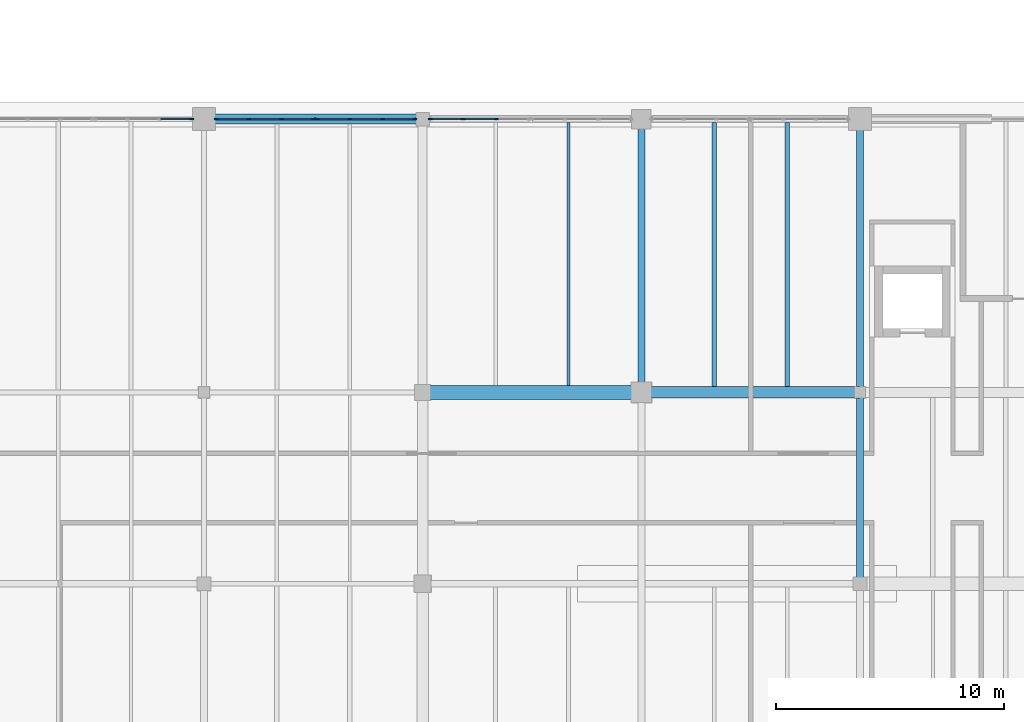
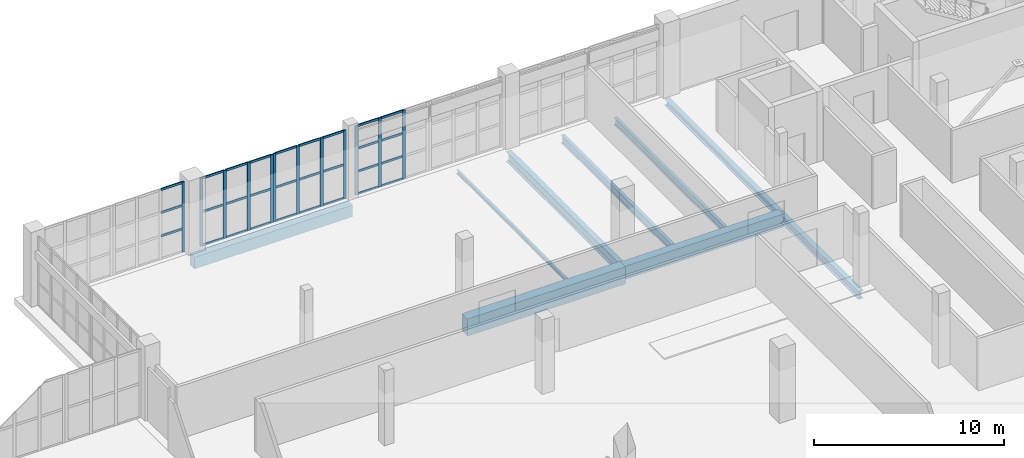
# One storey, part 24 of 121: 41 members, 9 beams, 4 elements without a shape of their own.
"""IFC4 building model written with IfcOpenShell, lengths in metres."""

from ifc_helpers import new_model, si_unit, direction, frame, origin, origin_2d, place, context, subcontext, project, spatial, rectangle, i_section, extrude, material, layer, layer_set, material_profile, profile_set, type_object, element, aggregate, save


model = new_model("IFC4")

# Units and contexts
model_context = context("Model", 3, precision=1e-05, world=origin(), true_north=direction((0.0, 1.0)))
body_context = subcontext(model_context, "Body", "Model", "MODEL_VIEW")
ifc_project = project(units=[si_unit("LENGTHUNIT", "METRE"), si_unit("AREAUNIT", "SQUARE_METRE"), si_unit("VOLUMEUNIT", "CUBIC_METRE"), si_unit("PLANEANGLEUNIT", "RADIAN"), si_unit("MASSUNIT", "GRAM", prefix="KILO")], contexts=[model_context])

# Site, building, storey
site_placement = place(None, origin())
site = spatial("IfcSite", under=ifc_project, at=site_placement, CompositionType="ELEMENT")
building_placement = place(site_placement, origin())
building = spatial("IfcBuilding", under=site, at=building_placement, Name="Zereglee Splitstone Museum", CompositionType="ELEMENT")
storey_placement = place(building_placement, origin())
storey = spatial("IfcBuildingStorey", under=building, at=storey_placement, Name="L00", CompositionType="ELEMENT", Elevation=0.0)

# Beams
ifc_material_1 = material(Name="Concrete C40/50", Category="concrete")
ifc_material_profile_1 = material_profile(ifc_material_1, rectangle(XDim=0.5, YDim=0.85009765625, at=origin_2d()), Name="RC 500x850")
ifc_profile_set_1 = profile_set([ifc_material_profile_1], Name="Concrete C40/50")
beam_type_1 = type_object("IfcBeamType", Name="BG-02", PredefinedType="BEAM", material=ifc_profile_set_1)
beam_1_placement = place(storey_placement, frame((106.800048828125, 38.39990234375, -0.844970703125), z_axis=(1.0, 0.0, 0.0), x_axis=(0.0, 1.0, 0.0)))
element("IfcBeam", 1, at=beam_1_placement, inside=storey, type_object=beam_type_1, Name="Primary Girder L00 E (106.8-116.4)", PredefinedType="BEAM", context=body_context, shape_type="SweptSolid", body=[
    extrude(rectangle(XDim=0.5, YDim=0.85009765625, at=origin_2d()), origin(), (0.0, 0.0, 1.0), 9.599853515625),
])
ifc_material_profile_2 = material_profile(ifc_material_1, rectangle(XDim=0.60009765625, YDim=1.10009765625, at=origin_2d()), Name="RC 600x1100")
ifc_profile_set_2 = profile_set([ifc_material_profile_2], Name="Concrete C40/50")
beam_type_2 = type_object("IfcBeamType", Name="BG-01", PredefinedType="BEAM", material=ifc_profile_set_2)
beam_2_placement = place(storey_placement, frame((97.199951171875, 38.39990234375, -0.969970703125), z_axis=(1.0, 0.0, 0.0), x_axis=(0.0, 1.0, 0.0)))
element("IfcBeam", 2, at=beam_2_placement, inside=storey, type_object=beam_type_2, Name="Primary Girder L00 E (97.2-106.8)", PredefinedType="BEAM", context=body_context, shape_type="SweptSolid", body=[
    extrude(rectangle(XDim=0.60009765625, YDim=1.10009765625, at=origin_2d()), origin(), (0.0, 0.0, 1.0), 9.60009765625),
])

# Curtain wall, members
ifc_material_2 = material(Name="Triple-glazed low-E argon glass and bronze-anodised aluminium", Category="aluminium")
ifc_layer_1 = layer(ifc_material_2, 0.179931640625)
ifc_layer_set_1 = layer_set([ifc_layer_1], Name="Triple-glazed low-E argon glass and bronze-anodised aluminium")
curtain_wall_type_1 = type_object("IfcCurtainWallType", Name="CW-0439-442", PredefinedType="USERDEFINED", material=ifc_layer_set_1)
curtain_wall_1_placement = place(storey_placement, origin())
curtain_wall_1 = element("IfcCurtainWall", 3, at=curtain_wall_1_placement, inside=storey, type_object=curtain_wall_type_1, Name="Glazed Curtain Wall CW-0439-442 (L00)", ObjectType="GLAZED CURTAIN WALL", PredefinedType="USERDEFINED")
ifc_material_3 = material(Name="Thermally broken bronze-anodised aluminium", Category="aluminium")
ifc_material_profile_3 = material_profile(ifc_material_3, rectangle(XDim=0.06494140625, YDim=0.179931640625, at=origin_2d()), Name="CW MULL 65x180")
ifc_profile_set_3 = profile_set([ifc_material_profile_3], Name="Thermally broken bronze-anodised aluminium")
member_type_1 = type_object("IfcMemberType", Name="CWM-01", PredefinedType="MULLION", material=ifc_profile_set_3)
member_1_placement = place(storey_placement, frame((100.434326171875, 50.39990234375, 0.0), z_axis=(0.0, 0.0, 1.0), x_axis=(0.0, -1.0, 0.0)))
member_1 = element("IfcMember", 4, at=member_1_placement, type_object=member_type_1, Name="CW-0439-442 mullion 2", PredefinedType="MULLION", context=body_context, shape_type="SweptSolid", body=[
    extrude(rectangle(XDim=0.06494140625, YDim=0.179931640625, at=origin_2d()), origin(), (0.0, 0.0, 1.0), 4.419921875),
])
member_2_placement = place(storey_placement, frame((98.97119140625, 50.39990234375, 0.0), z_axis=(0.0, 0.0, 1.0), x_axis=(0.0, -1.0, 0.0)))
member_2 = element("IfcMember", 5, at=member_2_placement, type_object=member_type_1, Name="CW-0439-442 mullion 3", PredefinedType="MULLION", context=body_context, shape_type="SweptSolid", body=[
    extrude(rectangle(XDim=0.06494140625, YDim=0.179931640625, at=origin_2d()), origin(), (0.0, 0.0, 1.0), 4.419921875),
])
member_3_placement = place(storey_placement, frame((97.54052734375, 50.39990234375, 0.0), z_axis=(0.0, 0.0, 1.0), x_axis=(0.0, -1.0, 0.0)))
member_3 = element("IfcMember", 6, at=member_3_placement, type_object=member_type_1, Name="CW-0439-442 mullion 4", PredefinedType="MULLION", context=body_context, shape_type="SweptSolid", body=[
    extrude(rectangle(XDim=0.06494140625, YDim=0.179931640625, at=origin_2d()), origin(), (0.0, 0.0, 1.0), 4.419921875),
])

ifc_layer_2 = layer(ifc_material_2, 0.179931640625)
ifc_layer_set_2 = layer_set([ifc_layer_2], Name="Triple-glazed low-E argon glass and bronze-anodised aluminium")
curtain_wall_type_2 = type_object("IfcCurtainWallType", Name="CW-0435-438", PredefinedType="USERDEFINED", material=ifc_layer_set_2)
curtain_wall_2_placement = place(storey_placement, origin())
curtain_wall_2 = element("IfcCurtainWall", 7, at=curtain_wall_2_placement, inside=storey, type_object=curtain_wall_type_2, Name="Glazed Curtain Wall CW-0435-438 (L00)", ObjectType="GLAZED CURTAIN WALL", PredefinedType="USERDEFINED")
member_4_placement = place(storey_placement, frame((96.859619140625, 50.39990234375, 0.0), z_axis=(0.0, 0.0, 1.0), x_axis=(0.0, -1.0, 0.0)))
member_4 = element("IfcMember", 8, at=member_4_placement, type_object=member_type_1, Name="CW-0435-438 mullion 1", PredefinedType="MULLION", context=body_context, shape_type="SweptSolid", body=[
    extrude(rectangle(XDim=0.06494140625, YDim=0.179931640625, at=origin_2d()), origin(), (0.0, 0.0, 1.0), 4.3798828125),
])
member_5_placement = place(storey_placement, frame((95.44140625, 50.39990234375, 0.0), z_axis=(0.0, 0.0, 1.0), x_axis=(0.0, -1.0, 0.0)))
member_5 = element("IfcMember", 9, at=member_5_placement, type_object=member_type_1, Name="CW-0435-438 mullion 2", PredefinedType="MULLION", context=body_context, shape_type="SweptSolid", body=[
    extrude(rectangle(XDim=0.06494140625, YDim=0.179931640625, at=origin_2d()), origin(), (0.0, 0.0, 1.0), 4.3798828125),
])
member_6_placement = place(storey_placement, frame((93.99072265625, 50.39990234375, 0.0), z_axis=(0.0, 0.0, 1.0), x_axis=(0.0, -1.0, 0.0)))
member_6 = element("IfcMember", 10, at=member_6_placement, type_object=member_type_1, Name="CW-0435-438 mullion 3", PredefinedType="MULLION", context=body_context, shape_type="SweptSolid", body=[
    extrude(rectangle(XDim=0.06494140625, YDim=0.179931640625, at=origin_2d()), origin(), (0.0, 0.0, 1.0), 4.3798828125),
])
member_7_placement = place(storey_placement, frame((92.572509765625, 50.39990234375, 0.0), z_axis=(0.0, 0.0, 1.0), x_axis=(0.0, -1.0, 0.0)))
member_7 = element("IfcMember", 11, at=member_7_placement, type_object=member_type_1, Name="CW-0435-438 mullion 4", PredefinedType="MULLION", context=body_context, shape_type="SweptSolid", body=[
    extrude(rectangle(XDim=0.06494140625, YDim=0.179931640625, at=origin_2d()), origin(), (0.0, 0.0, 1.0), 4.3798828125),
])

ifc_layer_3 = layer(ifc_material_2, 0.179931640625)
ifc_layer_set_3 = layer_set([ifc_layer_3], Name="Triple-glazed low-E argon glass and bronze-anodised aluminium")
curtain_wall_type_3 = type_object("IfcCurtainWallType", Name="CW-0435-436", PredefinedType="USERDEFINED", material=ifc_layer_set_3)
curtain_wall_3_placement = place(storey_placement, origin())
curtain_wall_3 = element("IfcCurtainWall", 12, at=curtain_wall_3_placement, inside=storey, type_object=curtain_wall_type_3, Name="Glazed Curtain Wall CW-0435-436 (L00)", ObjectType="GLAZED CURTAIN WALL", PredefinedType="USERDEFINED")
member_8_placement = place(storey_placement, frame((92.427490234375, 50.39990234375, 0.0), z_axis=(0.0, 0.0, 1.0), x_axis=(0.0, -1.0, 0.0)))
member_8 = element("IfcMember", 13, at=member_8_placement, type_object=member_type_1, Name="CW-0435-436 mullion 1", PredefinedType="MULLION", context=body_context, shape_type="SweptSolid", body=[
    extrude(rectangle(XDim=0.06494140625, YDim=0.179931640625, at=origin_2d()), origin(), (0.0, 0.0, 1.0), 4.360107421875),
])
member_9_placement = place(storey_placement, frame((91.00927734375, 50.39990234375, 0.0), z_axis=(0.0, 0.0, 1.0), x_axis=(0.0, -1.0, 0.0)))
member_9 = element("IfcMember", 14, at=member_9_placement, type_object=member_type_1, Name="CW-0435-436 mullion 2", PredefinedType="MULLION", context=body_context, shape_type="SweptSolid", body=[
    extrude(rectangle(XDim=0.06494140625, YDim=0.179931640625, at=origin_2d()), origin(), (0.0, 0.0, 1.0), 4.360107421875),
])
member_10_placement = place(storey_placement, frame((89.55859375, 50.39990234375, 0.0), z_axis=(0.0, 0.0, 1.0), x_axis=(0.0, -1.0, 0.0)))
member_10 = element("IfcMember", 15, at=member_10_placement, type_object=member_type_1, Name="CW-0435-436 mullion 3", PredefinedType="MULLION", context=body_context, shape_type="SweptSolid", body=[
    extrude(rectangle(XDim=0.06494140625, YDim=0.179931640625, at=origin_2d()), origin(), (0.0, 0.0, 1.0), 4.360107421875),
])
member_11_placement = place(storey_placement, frame((88.140380859375, 50.39990234375, 0.0), z_axis=(0.0, 0.0, 1.0), x_axis=(0.0, -1.0, 0.0)))
member_11 = element("IfcMember", 16, at=member_11_placement, type_object=member_type_1, Name="CW-0435-436 mullion 4", PredefinedType="MULLION", context=body_context, shape_type="SweptSolid", body=[
    extrude(rectangle(XDim=0.06494140625, YDim=0.179931640625, at=origin_2d()), origin(), (0.0, 0.0, 1.0), 4.360107421875),
])

# Curtain wall, member
ifc_layer_4 = layer(ifc_material_2, 0.179931640625)
ifc_layer_set_4 = layer_set([ifc_layer_4], Name="Triple-glazed low-E argon glass and bronze-anodised aluminium")
curtain_wall_type_4 = type_object("IfcCurtainWallType", Name="CW-0429-450", PredefinedType="USERDEFINED", material=ifc_layer_set_4)
curtain_wall_4_placement = place(storey_placement, origin())
curtain_wall_4 = element("IfcCurtainWall", 17, at=curtain_wall_4_placement, inside=storey, type_object=curtain_wall_type_4, Name="Glazed Curtain Wall CW-0429-450 (L00)", ObjectType="GLAZED CURTAIN WALL", PredefinedType="USERDEFINED")
member_12_placement = place(storey_placement, frame((87.0595703125, 50.39990234375, 0.0), z_axis=(0.0, 0.0, 1.0), x_axis=(0.0, -1.0, 0.0)))
member_12 = element("IfcMember", 18, at=member_12_placement, type_object=member_type_1, Name="CW-0429-450 mullion 1", PredefinedType="MULLION", context=body_context, shape_type="SweptSolid", body=[
    extrude(rectangle(XDim=0.06494140625, YDim=0.179931640625, at=origin_2d()), origin(), (0.0, 0.0, 1.0), 4.5),
])

# Member
ifc_material_profile_4 = material_profile(ifc_material_3, rectangle(XDim=0.06494140625, YDim=0.139892578125, at=origin_2d()), Name="CW TRAN 65x140")
ifc_profile_set_4 = profile_set([ifc_material_profile_4], Name="Thermally broken bronze-anodised aluminium")
member_type_2 = type_object("IfcMemberType", Name="CWT-01", PredefinedType="USERDEFINED", material=ifc_profile_set_4)
member_13_placement = place(storey_placement, frame((100.40185546875, 50.39990234375, 0.032470703125), z_axis=(-1.0, 0.0, 0.0), x_axis=(0.0, -1.0, 0.0)))
member_13 = element("IfcMember", 19, at=member_13_placement, type_object=member_type_2, Name="CW-0439-442 transom 2.1", ObjectType="TRANSOM", PredefinedType="USERDEFINED", context=body_context, shape_type="SweptSolid", body=[
    extrude(rectangle(XDim=0.06494140625, YDim=0.139892578125, at=origin_2d()), origin(), (0.0, 0.0, 1.0), 1.398193359375),
])

member_14_placement = place(storey_placement, frame((100.40185546875, 50.39990234375, 1.473388671875), z_axis=(-1.0, 0.0, 0.0), x_axis=(0.0, -1.0, 0.0)))
member_14 = element("IfcMember", 20, at=member_14_placement, type_object=member_type_2, Name="CW-0439-442 transom 2.2", ObjectType="TRANSOM", PredefinedType="USERDEFINED", context=body_context, shape_type="SweptSolid", body=[
    extrude(rectangle(XDim=0.06494140625, YDim=0.139892578125, at=origin_2d()), origin(), (0.0, 0.0, 1.0), 1.398193359375),
])

member_15_placement = place(storey_placement, frame((100.40185546875, 50.39990234375, 2.94677734375), z_axis=(-1.0, 0.0, 0.0), x_axis=(0.0, -1.0, 0.0)))
member_15 = element("IfcMember", 21, at=member_15_placement, type_object=member_type_2, Name="CW-0439-442 transom 2.3", ObjectType="TRANSOM", PredefinedType="USERDEFINED", context=body_context, shape_type="SweptSolid", body=[
    extrude(rectangle(XDim=0.06494140625, YDim=0.139892578125, at=origin_2d()), origin(), (0.0, 0.0, 1.0), 1.398193359375),
])

member_16_placement = place(storey_placement, frame((100.40185546875, 50.39990234375, 4.387451171875), z_axis=(-1.0, 0.0, 0.0), x_axis=(0.0, -1.0, 0.0)))
member_16 = element("IfcMember", 22, at=member_16_placement, type_object=member_type_2, Name="CW-0439-442 transom 2.4", ObjectType="TRANSOM", PredefinedType="USERDEFINED", context=body_context, shape_type="SweptSolid", body=[
    extrude(rectangle(XDim=0.06494140625, YDim=0.139892578125, at=origin_2d()), origin(), (0.0, 0.0, 1.0), 1.398193359375),
])

member_17_placement = place(storey_placement, frame((98.938720703125, 50.39990234375, 0.032470703125), z_axis=(-1.0, 0.0, 0.0), x_axis=(0.0, -1.0, 0.0)))
member_17 = element("IfcMember", 23, at=member_17_placement, type_object=member_type_2, Name="CW-0439-442 transom 3.1", ObjectType="TRANSOM", PredefinedType="USERDEFINED", context=body_context, shape_type="SweptSolid", body=[
    extrude(rectangle(XDim=0.06494140625, YDim=0.139892578125, at=origin_2d()), origin(), (0.0, 0.0, 1.0), 1.36572265625),
])

member_18_placement = place(storey_placement, frame((98.938720703125, 50.39990234375, 1.473388671875), z_axis=(-1.0, 0.0, 0.0), x_axis=(0.0, -1.0, 0.0)))
member_18 = element("IfcMember", 24, at=member_18_placement, type_object=member_type_2, Name="CW-0439-442 transom 3.2", ObjectType="TRANSOM", PredefinedType="USERDEFINED", context=body_context, shape_type="SweptSolid", body=[
    extrude(rectangle(XDim=0.06494140625, YDim=0.139892578125, at=origin_2d()), origin(), (0.0, 0.0, 1.0), 1.36572265625),
])

member_19_placement = place(storey_placement, frame((98.938720703125, 50.39990234375, 2.94677734375), z_axis=(-1.0, 0.0, 0.0), x_axis=(0.0, -1.0, 0.0)))
member_19 = element("IfcMember", 25, at=member_19_placement, type_object=member_type_2, Name="CW-0439-442 transom 3.3", ObjectType="TRANSOM", PredefinedType="USERDEFINED", context=body_context, shape_type="SweptSolid", body=[
    extrude(rectangle(XDim=0.06494140625, YDim=0.139892578125, at=origin_2d()), origin(), (0.0, 0.0, 1.0), 1.36572265625),
])

member_20_placement = place(storey_placement, frame((98.938720703125, 50.39990234375, 4.387451171875), z_axis=(-1.0, 0.0, 0.0), x_axis=(0.0, -1.0, 0.0)))
member_20 = element("IfcMember", 26, at=member_20_placement, type_object=member_type_2, Name="CW-0439-442 transom 3.4", ObjectType="TRANSOM", PredefinedType="USERDEFINED", context=body_context, shape_type="SweptSolid", body=[
    extrude(rectangle(XDim=0.06494140625, YDim=0.139892578125, at=origin_2d()), origin(), (0.0, 0.0, 1.0), 1.36572265625),
])

aggregate(curtain_wall_1, [member_1, member_2, member_3, member_13, member_14, member_15, member_16, member_17, member_18, member_19, member_20])

member_21_placement = place(storey_placement, frame((96.826904296875, 50.39990234375, 0.032470703125), z_axis=(-1.0, 0.0, 0.0), x_axis=(0.0, -1.0, 0.0)))
member_21 = element("IfcMember", 27, at=member_21_placement, type_object=member_type_2, Name="CW-0435-438 transom 1.1", ObjectType="TRANSOM", PredefinedType="USERDEFINED", context=body_context, shape_type="SweptSolid", body=[
    extrude(rectangle(XDim=0.06494140625, YDim=0.139892578125, at=origin_2d()), origin(), (0.0, 0.0, 1.0), 1.35302734375),
])

member_22_placement = place(storey_placement, frame((96.826904296875, 50.39990234375, 2.18994140625), z_axis=(-1.0, 0.0, 0.0), x_axis=(0.0, -1.0, 0.0)))
member_22 = element("IfcMember", 28, at=member_22_placement, type_object=member_type_2, Name="CW-0435-438 transom 1.2", ObjectType="TRANSOM", PredefinedType="USERDEFINED", context=body_context, shape_type="SweptSolid", body=[
    extrude(rectangle(XDim=0.06494140625, YDim=0.139892578125, at=origin_2d()), origin(), (0.0, 0.0, 1.0), 1.35302734375),
])

member_23_placement = place(storey_placement, frame((96.826904296875, 50.39990234375, 4.347412109375), z_axis=(-1.0, 0.0, 0.0), x_axis=(0.0, -1.0, 0.0)))
member_23 = element("IfcMember", 29, at=member_23_placement, type_object=member_type_2, Name="CW-0435-438 transom 1.3", ObjectType="TRANSOM", PredefinedType="USERDEFINED", context=body_context, shape_type="SweptSolid", body=[
    extrude(rectangle(XDim=0.06494140625, YDim=0.139892578125, at=origin_2d()), origin(), (0.0, 0.0, 1.0), 1.35302734375),
])

member_24_placement = place(storey_placement, frame((95.408935546875, 50.39990234375, 0.032470703125), z_axis=(-1.0, 0.0, 0.0), x_axis=(0.0, -1.0, 0.0)))
member_24 = element("IfcMember", 30, at=member_24_placement, type_object=member_type_2, Name="CW-0435-438 transom 2.1", ObjectType="TRANSOM", PredefinedType="USERDEFINED", context=body_context, shape_type="SweptSolid", body=[
    extrude(rectangle(XDim=0.06494140625, YDim=0.139892578125, at=origin_2d()), origin(), (0.0, 0.0, 1.0), 1.3857421875),
])

member_25_placement = place(storey_placement, frame((95.408935546875, 50.39990234375, 2.18994140625), z_axis=(-1.0, 0.0, 0.0), x_axis=(0.0, -1.0, 0.0)))
member_25 = element("IfcMember", 31, at=member_25_placement, type_object=member_type_2, Name="CW-0435-438 transom 2.2", ObjectType="TRANSOM", PredefinedType="USERDEFINED", context=body_context, shape_type="SweptSolid", body=[
    extrude(rectangle(XDim=0.06494140625, YDim=0.139892578125, at=origin_2d()), origin(), (0.0, 0.0, 1.0), 1.3857421875),
])

member_26_placement = place(storey_placement, frame((95.408935546875, 50.39990234375, 4.347412109375), z_axis=(-1.0, 0.0, 0.0), x_axis=(0.0, -1.0, 0.0)))
member_26 = element("IfcMember", 32, at=member_26_placement, type_object=member_type_2, Name="CW-0435-438 transom 2.3", ObjectType="TRANSOM", PredefinedType="USERDEFINED", context=body_context, shape_type="SweptSolid", body=[
    extrude(rectangle(XDim=0.06494140625, YDim=0.139892578125, at=origin_2d()), origin(), (0.0, 0.0, 1.0), 1.3857421875),
])

member_27_placement = place(storey_placement, frame((93.958251953125, 50.39990234375, 0.032470703125), z_axis=(-1.0, 0.0, 0.0), x_axis=(0.0, -1.0, 0.0)))
member_27 = element("IfcMember", 33, at=member_27_placement, type_object=member_type_2, Name="CW-0435-438 transom 3.1", ObjectType="TRANSOM", PredefinedType="USERDEFINED", context=body_context, shape_type="SweptSolid", body=[
    extrude(rectangle(XDim=0.06494140625, YDim=0.139892578125, at=origin_2d()), origin(), (0.0, 0.0, 1.0), 1.353271484375),
])

member_28_placement = place(storey_placement, frame((93.958251953125, 50.39990234375, 2.18994140625), z_axis=(-1.0, 0.0, 0.0), x_axis=(0.0, -1.0, 0.0)))
member_28 = element("IfcMember", 34, at=member_28_placement, type_object=member_type_2, Name="CW-0435-438 transom 3.2", ObjectType="TRANSOM", PredefinedType="USERDEFINED", context=body_context, shape_type="SweptSolid", body=[
    extrude(rectangle(XDim=0.06494140625, YDim=0.139892578125, at=origin_2d()), origin(), (0.0, 0.0, 1.0), 1.353271484375),
])

member_29_placement = place(storey_placement, frame((93.958251953125, 50.39990234375, 4.347412109375), z_axis=(-1.0, 0.0, 0.0), x_axis=(0.0, -1.0, 0.0)))
member_29 = element("IfcMember", 35, at=member_29_placement, type_object=member_type_2, Name="CW-0435-438 transom 3.3", ObjectType="TRANSOM", PredefinedType="USERDEFINED", context=body_context, shape_type="SweptSolid", body=[
    extrude(rectangle(XDim=0.06494140625, YDim=0.139892578125, at=origin_2d()), origin(), (0.0, 0.0, 1.0), 1.353271484375),
])

aggregate(curtain_wall_2, [member_4, member_5, member_6, member_7, member_21, member_22, member_23, member_24, member_25, member_26, member_27, member_28, member_29])

member_30_placement = place(storey_placement, frame((92.39501953125, 50.39990234375, 0.032470703125), z_axis=(-1.0, 0.0, 0.0), x_axis=(0.0, -1.0, 0.0)))
member_30 = element("IfcMember", 36, at=member_30_placement, type_object=member_type_2, Name="CW-0435-436 transom 1.1", ObjectType="TRANSOM", PredefinedType="USERDEFINED", context=body_context, shape_type="SweptSolid", body=[
    extrude(rectangle(XDim=0.06494140625, YDim=0.139892578125, at=origin_2d()), origin(), (0.0, 0.0, 1.0), 1.353271484375),
])

member_31_placement = place(storey_placement, frame((92.39501953125, 50.39990234375, 2.179931640625), z_axis=(-1.0, 0.0, 0.0), x_axis=(0.0, -1.0, 0.0)))
member_31 = element("IfcMember", 37, at=member_31_placement, type_object=member_type_2, Name="CW-0435-436 transom 1.2", ObjectType="TRANSOM", PredefinedType="USERDEFINED", context=body_context, shape_type="SweptSolid", body=[
    extrude(rectangle(XDim=0.06494140625, YDim=0.139892578125, at=origin_2d()), origin(), (0.0, 0.0, 1.0), 1.353271484375),
])

member_32_placement = place(storey_placement, frame((92.39501953125, 50.39990234375, 4.327392578125), z_axis=(-1.0, 0.0, 0.0), x_axis=(0.0, -1.0, 0.0)))
member_32 = element("IfcMember", 38, at=member_32_placement, type_object=member_type_2, Name="CW-0435-436 transom 1.3", ObjectType="TRANSOM", PredefinedType="USERDEFINED", context=body_context, shape_type="SweptSolid", body=[
    extrude(rectangle(XDim=0.06494140625, YDim=0.139892578125, at=origin_2d()), origin(), (0.0, 0.0, 1.0), 1.353271484375),
])

member_33_placement = place(storey_placement, frame((90.976806640625, 50.39990234375, 0.032470703125), z_axis=(-1.0, 0.0, 0.0), x_axis=(0.0, -1.0, 0.0)))
member_33 = element("IfcMember", 39, at=member_33_placement, type_object=member_type_2, Name="CW-0435-436 transom 2.1", ObjectType="TRANSOM", PredefinedType="USERDEFINED", context=body_context, shape_type="SweptSolid", body=[
    extrude(rectangle(XDim=0.06494140625, YDim=0.139892578125, at=origin_2d()), origin(), (0.0, 0.0, 1.0), 1.3857421875),
])

member_34_placement = place(storey_placement, frame((90.976806640625, 50.39990234375, 2.179931640625), z_axis=(-1.0, 0.0, 0.0), x_axis=(0.0, -1.0, 0.0)))
member_34 = element("IfcMember", 40, at=member_34_placement, type_object=member_type_2, Name="CW-0435-436 transom 2.2", ObjectType="TRANSOM", PredefinedType="USERDEFINED", context=body_context, shape_type="SweptSolid", body=[
    extrude(rectangle(XDim=0.06494140625, YDim=0.139892578125, at=origin_2d()), origin(), (0.0, 0.0, 1.0), 1.3857421875),
])

member_35_placement = place(storey_placement, frame((90.976806640625, 50.39990234375, 4.327392578125), z_axis=(-1.0, 0.0, 0.0), x_axis=(0.0, -1.0, 0.0)))
member_35 = element("IfcMember", 41, at=member_35_placement, type_object=member_type_2, Name="CW-0435-436 transom 2.3", ObjectType="TRANSOM", PredefinedType="USERDEFINED", context=body_context, shape_type="SweptSolid", body=[
    extrude(rectangle(XDim=0.06494140625, YDim=0.139892578125, at=origin_2d()), origin(), (0.0, 0.0, 1.0), 1.3857421875),
])

member_36_placement = place(storey_placement, frame((89.526123046875, 50.39990234375, 0.032470703125), z_axis=(-1.0, 0.0, 0.0), x_axis=(0.0, -1.0, 0.0)))
member_36 = element("IfcMember", 42, at=member_36_placement, type_object=member_type_2, Name="CW-0435-436 transom 3.1", ObjectType="TRANSOM", PredefinedType="USERDEFINED", context=body_context, shape_type="SweptSolid", body=[
    extrude(rectangle(XDim=0.06494140625, YDim=0.139892578125, at=origin_2d()), origin(), (0.0, 0.0, 1.0), 1.35302734375),
])

member_37_placement = place(storey_placement, frame((89.526123046875, 50.39990234375, 2.179931640625), z_axis=(-1.0, 0.0, 0.0), x_axis=(0.0, -1.0, 0.0)))
member_37 = element("IfcMember", 43, at=member_37_placement, type_object=member_type_2, Name="CW-0435-436 transom 3.2", ObjectType="TRANSOM", PredefinedType="USERDEFINED", context=body_context, shape_type="SweptSolid", body=[
    extrude(rectangle(XDim=0.06494140625, YDim=0.139892578125, at=origin_2d()), origin(), (0.0, 0.0, 1.0), 1.35302734375),
])

member_38_placement = place(storey_placement, frame((89.526123046875, 50.39990234375, 4.327392578125), z_axis=(-1.0, 0.0, 0.0), x_axis=(0.0, -1.0, 0.0)))
member_38 = element("IfcMember", 44, at=member_38_placement, type_object=member_type_2, Name="CW-0435-436 transom 3.3", ObjectType="TRANSOM", PredefinedType="USERDEFINED", context=body_context, shape_type="SweptSolid", body=[
    extrude(rectangle(XDim=0.06494140625, YDim=0.139892578125, at=origin_2d()), origin(), (0.0, 0.0, 1.0), 1.35302734375),
])

aggregate(curtain_wall_3, [member_8, member_9, member_10, member_11, member_30, member_31, member_32, member_33, member_34, member_35, member_36, member_37, member_38])

member_39_placement = place(storey_placement, frame((87.027099609375, 50.39990234375, 1.5), z_axis=(-1.0, 0.0, 0.0), x_axis=(0.0, -1.0, 0.0)))
member_39 = element("IfcMember", 45, at=member_39_placement, type_object=member_type_2, Name="CW-0429-450 transom 1.2", ObjectType="TRANSOM", PredefinedType="USERDEFINED", context=body_context, shape_type="SweptSolid", body=[
    extrude(rectangle(XDim=0.06494140625, YDim=0.139892578125, at=origin_2d()), origin(), (0.0, 0.0, 1.0), 1.33251953125),
])

member_40_placement = place(storey_placement, frame((87.027099609375, 50.39990234375, 3.0), z_axis=(-1.0, 0.0, 0.0), x_axis=(0.0, -1.0, 0.0)))
member_40 = element("IfcMember", 46, at=member_40_placement, type_object=member_type_2, Name="CW-0429-450 transom 1.3", ObjectType="TRANSOM", PredefinedType="USERDEFINED", context=body_context, shape_type="SweptSolid", body=[
    extrude(rectangle(XDim=0.06494140625, YDim=0.139892578125, at=origin_2d()), origin(), (0.0, 0.0, 1.0), 1.33251953125),
])

member_41_placement = place(storey_placement, frame((87.027099609375, 50.39990234375, 4.467529296875), z_axis=(-1.0, 0.0, 0.0), x_axis=(0.0, -1.0, 0.0)))
member_41 = element("IfcMember", 47, at=member_41_placement, type_object=member_type_2, Name="CW-0429-450 transom 1.4", ObjectType="TRANSOM", PredefinedType="USERDEFINED", context=body_context, shape_type="SweptSolid", body=[
    extrude(rectangle(XDim=0.06494140625, YDim=0.139892578125, at=origin_2d()), origin(), (0.0, 0.0, 1.0), 1.33251953125),
])

aggregate(curtain_wall_4, [member_12, member_39, member_40, member_41])

# Beams
ifc_material_4 = material(Name="Steel S355J2", Category="steel")
ifc_material_profile_5 = material_profile(ifc_material_4, i_section(OverallWidth=0.300048828125, OverallDepth=0.39990234375, WebThickness=0.013427734375, FlangeThickness=0.02392578125, FilletRadius=0.027099609375, at=origin_2d()), Name="HE 400 B")
ifc_profile_set_5 = profile_set([ifc_material_profile_5], Name="Steel S355J2")
beam_type_3 = type_object("IfcBeamType", Name="BG-13", PredefinedType="BEAM", material=ifc_profile_set_5)
beam_3_placement = place(storey_placement, frame((116.39990234375, 38.39990234375, -0.6201171875), z_axis=(0.0, 1.0, 0.0), x_axis=(-1.0, 0.0, 0.0)))
element("IfcBeam", 48, at=beam_3_placement, inside=storey, type_object=beam_type_3, Name="Primary Girder L00 14 (38.4-50.4)", PredefinedType="BEAM", context=body_context, shape_type="SweptSolid", body=[
    extrude(i_section(OverallWidth=0.300048828125, OverallDepth=0.39990234375, WebThickness=0.013427734375, FlangeThickness=0.02392578125, FilletRadius=0.027099609375, at=origin_2d()), origin(), (0.0, 0.0, 1.0), 12.0),
])
ifc_material_profile_6 = material_profile(ifc_material_4, i_section(OverallWidth=0.300048828125, OverallDepth=0.5, WebThickness=0.014404296875, FlangeThickness=0.028076171875, FilletRadius=0.027099609375, at=origin_2d()), Name="HE 500 B")
ifc_profile_set_6 = profile_set([ifc_material_profile_6], Name="Steel S355J2")
beam_type_4 = type_object("IfcBeamType", Name="BG-12", PredefinedType="BEAM", material=ifc_profile_set_6)
beam_4_placement = place(storey_placement, frame((116.39990234375, 30.0, -0.669921875), z_axis=(0.0, 1.0, 0.0), x_axis=(-1.0, 0.0, 0.0)))
element("IfcBeam", 49, at=beam_4_placement, inside=storey, type_object=beam_type_4, Name="Primary Girder L00 14 (30.0-38.4)", PredefinedType="BEAM", context=body_context, shape_type="SweptSolid", body=[
    extrude(i_section(OverallWidth=0.300048828125, OverallDepth=0.5, WebThickness=0.014404296875, FlangeThickness=0.028076171875, FilletRadius=0.027099609375, at=origin_2d()), origin(), (0.0, 0.0, 1.0), 8.39990234375),
])
ifc_material_profile_7 = material_profile(ifc_material_4, i_section(OverallWidth=0.300048828125, OverallDepth=0.64990234375, WebThickness=0.01611328125, FlangeThickness=0.031005859375, FilletRadius=0.027099609375, at=origin_2d()), Name="HE 650 B")
ifc_profile_set_7 = profile_set([ifc_material_profile_7], Name="Steel S355J2")
beam_type_5 = type_object("IfcBeamType", Name="BG-09", PredefinedType="BEAM", material=ifc_profile_set_7)
beam_5_placement = place(storey_placement, frame((106.800048828125, 38.39990234375, -0.7451171875), z_axis=(0.0, 1.0, 0.0), x_axis=(-1.0, 0.0, 0.0)))
element("IfcBeam", 50, at=beam_5_placement, inside=storey, type_object=beam_type_5, Name="Primary Girder L00 13 (38.4-50.4)", PredefinedType="BEAM", context=body_context, shape_type="SweptSolid", body=[
    extrude(i_section(OverallWidth=0.300048828125, OverallDepth=0.64990234375, WebThickness=0.01611328125, FlangeThickness=0.031005859375, FilletRadius=0.027099609375, at=origin_2d()), origin(), (0.0, 0.0, 1.0), 12.0),
])
ifc_material_profile_8 = material_profile(ifc_material_4, i_section(OverallWidth=0.1201171875, OverallDepth=0.239990234375, WebThickness=0.006103515625, FlangeThickness=0.009765625, FilletRadius=0.014892578125, at=origin_2d()), Name="IPE 240")
ifc_profile_set_8 = profile_set([ifc_material_profile_8], Name="Steel S355J2")
beam_type_6 = type_object("IfcBeamType", Name="BJ-07", PredefinedType="JOIST", material=ifc_profile_set_8)
beam_6_placement = place(storey_placement, frame((103.60009765625, 38.699951171875, -0.5400390625), z_axis=(0.0, 1.0, 0.0), x_axis=(-1.0, 0.0, 0.0)))
element("IfcBeam", 51, at=beam_6_placement, inside=storey, type_object=beam_type_6, Name="Secondary Floor Joist L00-0398", PredefinedType="JOIST", context=body_context, shape_type="SweptSolid", body=[
    extrude(i_section(OverallWidth=0.1201171875, OverallDepth=0.239990234375, WebThickness=0.006103515625, FlangeThickness=0.009765625, FilletRadius=0.014892578125, at=origin_2d()), origin(), (0.0, 0.0, 1.0), 11.550048828125),
])
ifc_material_profile_9 = material_profile(ifc_material_4, i_section(OverallWidth=0.18994140625, OverallDepth=0.449951171875, WebThickness=0.009521484375, FlangeThickness=0.0146484375, FilletRadius=0.02099609375, at=origin_2d()), Name="IPE 450")
ifc_profile_set_9 = profile_set([ifc_material_profile_9], Name="Steel S355J2")
beam_type_7 = type_object("IfcBeamType", Name="BJ-02", PredefinedType="JOIST", material=ifc_profile_set_9)
beam_7_placement = place(storey_placement, frame((113.199951171875, 38.64990234375, -0.64501953125), z_axis=(0.0, 1.0, 0.0), x_axis=(-1.0, 0.0, 0.0)))
element("IfcBeam", 52, at=beam_7_placement, inside=storey, type_object=beam_type_7, Name="Secondary Floor Joist L00-0400", PredefinedType="JOIST", context=body_context, shape_type="SweptSolid", body=[
    extrude(i_section(OverallWidth=0.18994140625, OverallDepth=0.449951171875, WebThickness=0.009521484375, FlangeThickness=0.0146484375, FilletRadius=0.02099609375, at=origin_2d()), origin(), (0.0, 0.0, 1.0), 11.610107421875),
])
ifc_material_profile_10 = material_profile(ifc_material_4, i_section(OverallWidth=0.199951171875, OverallDepth=0.5, WebThickness=0.01025390625, FlangeThickness=0.01611328125, FilletRadius=0.02099609375, at=origin_2d()), Name="IPE 500")
ifc_profile_set_10 = profile_set([ifc_material_profile_10], Name="Steel S355J2")
beam_type_8 = type_object("IfcBeamType", Name="BJ-01", PredefinedType="JOIST", material=ifc_profile_set_10)
beam_8_placement = place(storey_placement, frame((110.0, 38.64990234375, -0.669921875), z_axis=(0.0, 1.0, 0.0), x_axis=(-1.0, 0.0, 0.0)))
element("IfcBeam", 53, at=beam_8_placement, inside=storey, type_object=beam_type_8, Name="Secondary Floor Joist L00-0399", PredefinedType="JOIST", context=body_context, shape_type="SweptSolid", body=[
    extrude(i_section(OverallWidth=0.199951171875, OverallDepth=0.5, WebThickness=0.01025390625, FlangeThickness=0.01611328125, FilletRadius=0.02099609375, at=origin_2d()), origin(), (0.0, 0.0, 1.0), 11.610107421875),
])
ifc_material_profile_11 = material_profile(ifc_material_1, rectangle(XDim=0.449951171875, YDim=0.75, at=origin_2d()), Name="RC 450x750")
ifc_profile_set_11 = profile_set([ifc_material_profile_11], Name="Concrete C40/50")
beam_type_9 = type_object("IfcBeamType", Name="SP-01", PredefinedType="SPANDREL", material=ifc_profile_set_11)
beam_9_placement = place(storey_placement, frame((87.60009765625, 50.39990234375, -0.794921875), z_axis=(1.0, 0.0, 0.0), x_axis=(0.0, 1.0, 0.0)))
element("IfcBeam", 54, at=beam_9_placement, inside=storey, type_object=beam_type_9, Name="Primary Girder L00 F (87.6-97.2)", PredefinedType="SPANDREL", context=body_context, shape_type="SweptSolid", body=[
    extrude(rectangle(XDim=0.449951171875, YDim=0.75, at=origin_2d()), origin(), (0.0, 0.0, 1.0), 9.599853515625),
])

save(model, "model.ifc")
